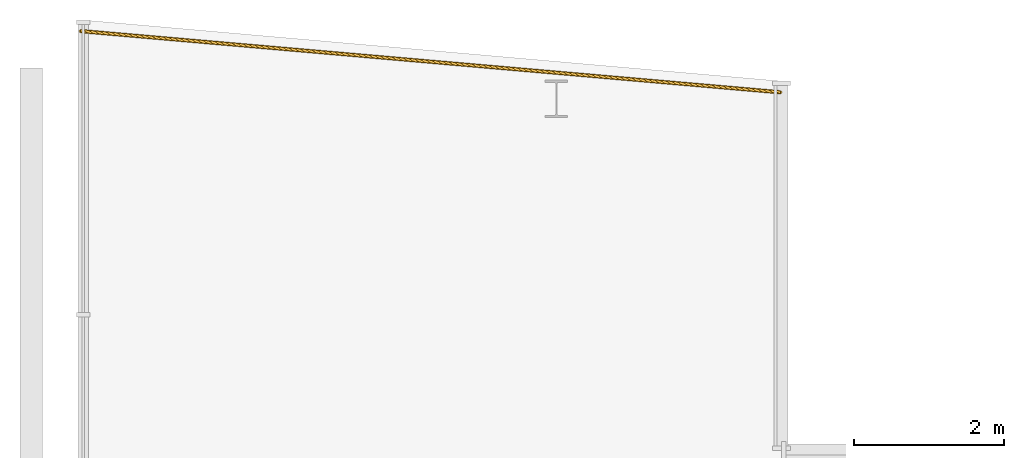
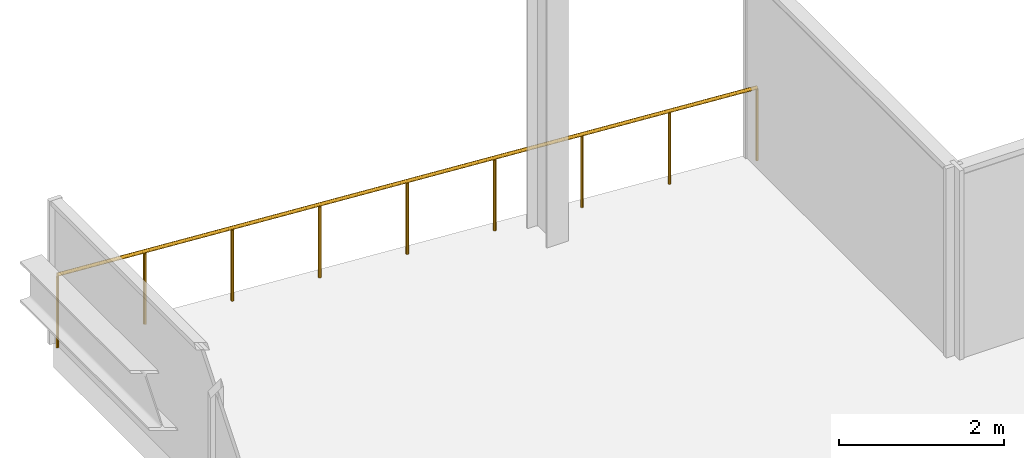
# One storey, part 9 of 9: 1 railing.
"""IFC4 building model written with IfcOpenShell, lengths in metres."""

from ifc_helpers import new_model, si_unit, direction, frame, origin, origin_2d, place, context, subcontext, project, spatial, circle, extrude, material, type_object, element, save


model = new_model("IFC4")

# Units and contexts
model_context = context("Model", 3, precision=1e-05, world=origin(), true_north=direction((0.0, 1.0)))
body_context = subcontext(model_context, "Body", "Model", "MODEL_VIEW")
ifc_project = project(units=[si_unit("LENGTHUNIT", "METRE"), si_unit("AREAUNIT", "SQUARE_METRE"), si_unit("VOLUMEUNIT", "CUBIC_METRE"), si_unit("PLANEANGLEUNIT", "RADIAN"), si_unit("MASSUNIT", "GRAM", prefix="KILO")], contexts=[model_context])

# Site, building, storey
site_placement = place(None, origin())
site = spatial("IfcSite", under=ifc_project, at=site_placement, CompositionType="ELEMENT")
building_placement = place(site_placement, origin())
building = spatial("IfcBuilding", under=site, at=building_placement, Name="Wharfspan Tower", CompositionType="ELEMENT")
storey_placement = place(building_placement, frame((0.0, 0.0, 270.699951)))
storey = spatial("IfcBuildingStorey", under=building, at=storey_placement, Name="L69", CompositionType="ELEMENT", Elevation=270.699951)

# Railing
ifc_material = material(Name="Steel S355J2", Category="steel")
railing_type = type_object("IfcRailingType", Name="GUARD 1100 STEEL AND GLASS", PredefinedType="GUARDRAIL", material=ifc_material)
railing_placement = place(storey_placement, frame((53.986816, 48.375488, 0.0)))
element("IfcRailing", 1, at=railing_placement, inside=storey, type_object=railing_type, Name="Gallery edge guard N2", PredefinedType="GUARDRAIL", context=body_context, shape_type="SweptSolid", body=[
    extrude(circle(Radius=0.024902, at=origin_2d()), frame((0.0, 0.0, 1.075195), z_axis=(-0.996195, 0.087157, 0.0), x_axis=(-0.087157, -0.996195, 0.0)), (0.0, 0.0, 1.0), 9.364258),
    extrude(circle(Radius=0.02002, at=origin_2d()), origin(), (0.0, 0.0, 1.0), 1.050049),
    extrude(circle(Radius=0.02002, at=origin_2d()), frame((-1.166016, 0.102051, 0.0)), (0.0, 0.0, 1.0), 1.050049),
    extrude(circle(Radius=0.02002, at=origin_2d()), frame((-2.332031, 0.204102, 0.0)), (0.0, 0.0, 1.0), 1.050049),
    extrude(circle(Radius=0.02002, at=origin_2d()), frame((-3.498291, 0.306152, 0.0)), (0.0, 0.0, 1.0), 1.050049),
    extrude(circle(Radius=0.02002, at=origin_2d()), frame((-4.664307, 0.408203, 0.0)), (0.0, 0.0, 1.0), 1.050049),
    extrude(circle(Radius=0.02002, at=origin_2d()), frame((-5.830322, 0.51001, 0.0)), (0.0, 0.0, 1.0), 1.050049),
    extrude(circle(Radius=0.02002, at=origin_2d()), frame((-6.996582, 0.612061, 0.0)), (0.0, 0.0, 1.0), 1.050049),
    extrude(circle(Radius=0.02002, at=origin_2d()), frame((-8.162598, 0.714111, 0.0)), (0.0, 0.0, 1.0), 1.050049),
    extrude(circle(Radius=0.02002, at=origin_2d()), frame((-9.328613, 0.816162, 0.0)), (0.0, 0.0, 1.0), 1.050049),
])

save(model, "model.ifc")
